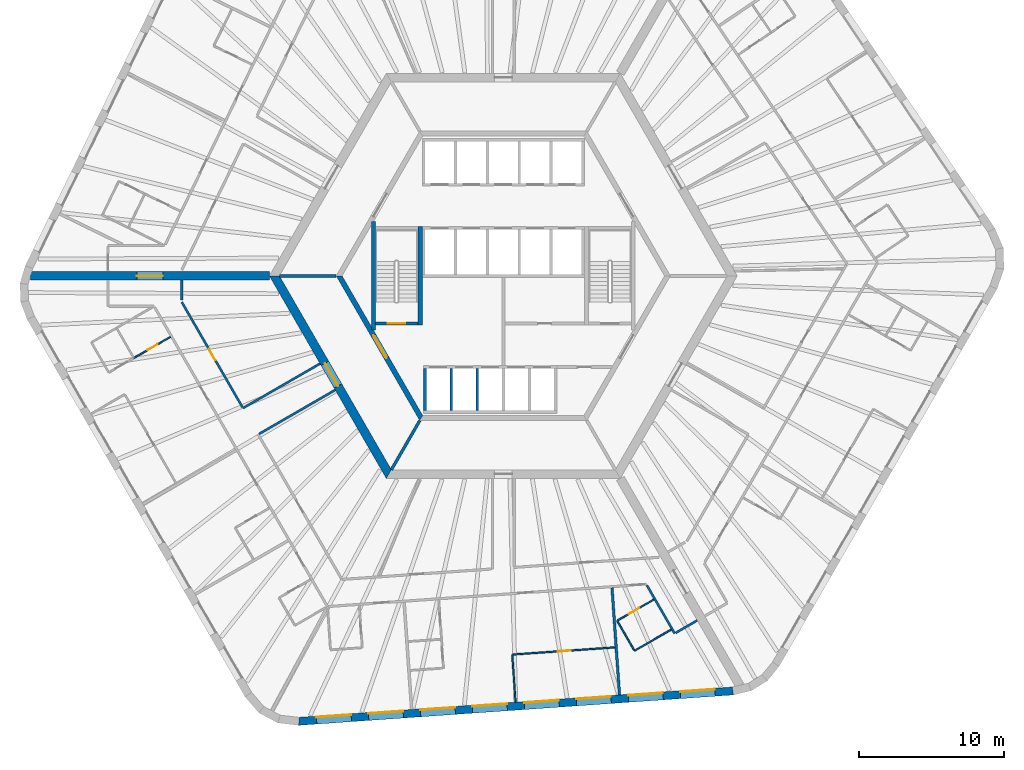
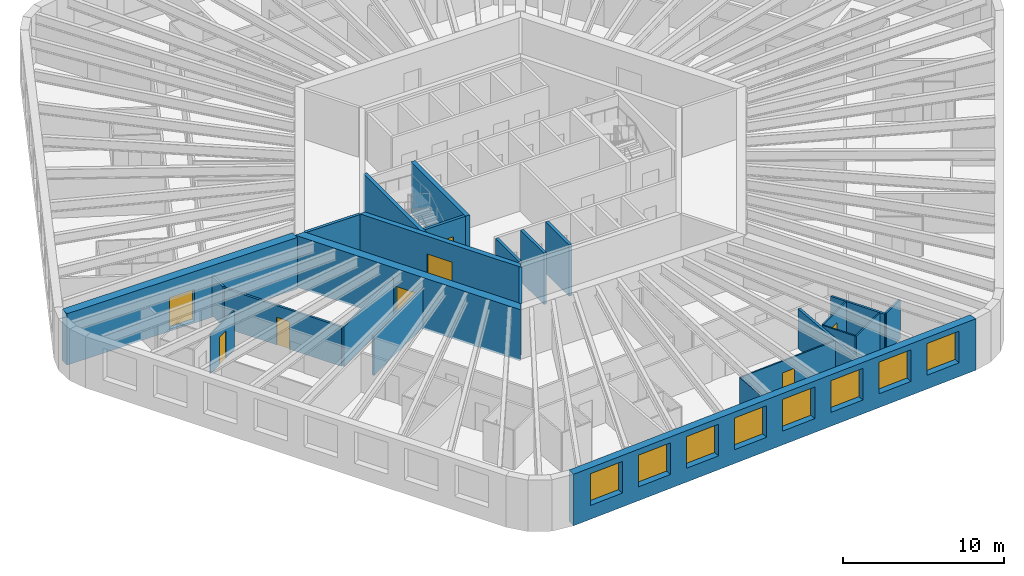
# One storey, part 4 of 12: 25 walls, 8 doors, 8 windows, 16 openings.
"""IFC4 building model written with IfcOpenShell, lengths in metres."""

from ifc_helpers import new_model, si_unit, direction, frame, frame_2d, origin, place, context, subcontext, project, spatial, polyline, rectangle, outline, extrude, material, layer, layer_set, type_object, element, fill, save


model = new_model("IFC4")

# Units and contexts
model_context = context("Model", 3, precision=1e-05, world=origin(), true_north=direction((0.0, 1.0)))
body_context = subcontext(model_context, "Body", "Model", "MODEL_VIEW")
ifc_project = project(units=[si_unit("LENGTHUNIT", "METRE"), si_unit("AREAUNIT", "SQUARE_METRE"), si_unit("VOLUMEUNIT", "CUBIC_METRE"), si_unit("PLANEANGLEUNIT", "RADIAN"), si_unit("MASSUNIT", "GRAM", prefix="KILO")], contexts=[model_context])

# Site, building, storey
site_placement = place(None, origin())
site = spatial("IfcSite", under=ifc_project, at=site_placement, CompositionType="ELEMENT")
building_placement = place(site_placement, origin())
building = spatial("IfcBuilding", under=site, at=building_placement, Name="Tarnside Tower", CompositionType="ELEMENT")
storey_placement = place(building_placement, frame((0.0, 0.0, 127.199951171875)))
storey = spatial("IfcBuildingStorey", under=building, at=storey_placement, Name="L29", CompositionType="ELEMENT", Elevation=127.199951171875)

# Wall, opening, door
ifc_material_1 = material(Name="Gypsum board partition on steel studs", Category="steel")
ifc_layer_1 = layer(ifc_material_1, 0.10009765625)
ifc_layer_set_1 = layer_set([ifc_layer_1], Name="Bathroom wall 100")
wall_type_1 = type_object("IfcWallType", Name="Bathroom wall 100", PredefinedType="PARTITIONING", material=ifc_layer_set_1)
wall_1_placement = place(storey_placement, frame((-22.998291015625, -4.216064453125, 0.0), z_axis=(0.0, 0.0, 1.0), x_axis=(-0.866025730634, -0.499999433879, 0.0)))
wall_1 = element("IfcWall", 1, at=wall_1_placement, inside=storey, type_object=wall_type_1, Name="Bathroom wall 09109", PredefinedType="PARTITIONING", context=body_context, shape_type="SweptSolid", body=[
    extrude(rectangle(XDim=2.9248046875, YDim=0.10009765625, at=frame_2d((1.46240234375, 0.0))), origin(), (0.0, 0.0, 1.0), 2.98779296875),
])
opening_1_placement = place(wall_1_placement, frame((1.02490234375, 0.0, 0.0)))
opening_1 = element("IfcOpeningElement", 2, at=opening_1_placement, cuts=wall_1, Name="Opening D-B1", PredefinedType="OPENING", context=body_context, shape_type="SweptSolid", body=[
    extrude(rectangle(XDim=0.800048828125, YDim=2.10009765625, at=frame_2d((0.39990234375, 1.050048828125))), frame((0.0, 0.06005859375, 0.0), z_axis=(0.0, -1.0, 0.0), x_axis=(1.0, 0.0, 0.0)), (0.0, 0.0, 1.0), 0.1201171875),
])
ifc_material_2 = material(Name="Timber door leaf", Category="wood")
door_type_1 = type_object("IfcDoorType", Name="Bathroom door 800", OperationType="NOTDEFINED", PredefinedType="DOOR", material=ifc_material_2)
door_1_placement = place(opening_1_placement, origin())
door_1 = element("IfcDoor", 3, at=door_1_placement, inside=storey, type_object=door_type_1, Name="Bathroom door 09016", OperationType="SINGLE_SWING_RIGHT", OverallHeight=2.10009765625, OverallWidth=0.800048828125, PredefinedType="DOOR", context=body_context, shape_type="SweptSolid", body=[
    extrude(rectangle(XDim=0.800048828125, YDim=2.10009765625, at=frame_2d((0.39990234375, 1.050048828125))), frame((0.0, 0.02490234375, 0.0), z_axis=(0.0, -1.0, 0.0), x_axis=(1.0, 0.0, 0.0)), (0.0, 0.0, 1.0), 0.050048828125),
])
fill(opening_1, door_1)

# Walls
wall_2_placement = place(storey_placement, frame((11.6015625, -24.444580078125, 0.0), z_axis=(0.0, 0.0, 1.0), x_axis=(-0.866046596414, -0.499963291492, 0.0)))
element("IfcWall", 4, at=wall_2_placement, inside=storey, type_object=wall_type_1, Name="Bathroom wall 09140", PredefinedType="PARTITIONING", context=body_context, shape_type="SweptSolid", body=[
    extrude(rectangle(XDim=2.925048828125, YDim=0.10009765625, at=frame_2d((1.46240234375, 0.0))), origin(), (0.0, 0.0, 1.0), 2.98779296875),
])
wall_3_placement = place(storey_placement, frame((9.04345703125, -25.86376953125, 0.0), z_axis=(0.0, 0.0, 1.0), x_axis=(-0.500016218704, 0.866016039709, 0.0)))
element("IfcWall", 5, at=wall_3_placement, inside=storey, type_object=wall_type_1, Name="Bathroom wall 09141", PredefinedType="PARTITIONING", context=body_context, shape_type="SweptSolid", body=[
    extrude(rectangle(XDim=2.35009765625, YDim=0.10009765625, at=frame_2d((1.175048828125, 0.0))), origin(), (0.0, 0.0, 1.0), 2.98779296875),
])

# Wall, opening, door
wall_4_placement = place(storey_placement, frame((7.91162109375, -23.803466796875, 0.0), z_axis=(0.0, 0.0, 1.0), x_axis=(0.866039941686, 0.499974818771, 0.0)))
wall_4 = element("IfcWall", 6, at=wall_4_placement, inside=storey, type_object=wall_type_1, Name="Bathroom wall 09142", PredefinedType="PARTITIONING", context=body_context, shape_type="SweptSolid", body=[
    extrude(rectangle(XDim=2.875244140625, YDim=0.10009765625, at=frame_2d((1.4375, 0.0))), origin(), (0.0, 0.0, 1.0), 2.98779296875),
])
opening_2_placement = place(wall_4_placement, frame((0.89990234375, 0.0, 0.0)))
opening_2 = element("IfcOpeningElement", 7, at=opening_2_placement, cuts=wall_4, Name="Opening D-B1", PredefinedType="OPENING", context=body_context, shape_type="SweptSolid", body=[
    extrude(rectangle(XDim=0.800048828125, YDim=2.10009765625, at=frame_2d((0.39990234375, 1.050048828125))), frame((0.0, 0.06005859375, 0.0), z_axis=(0.0, -1.0, 0.0), x_axis=(1.0, 0.0, 0.0)), (0.0, 0.0, 1.0), 0.1201171875),
])
door_2_placement = place(opening_2_placement, origin())
door_2 = element("IfcDoor", 8, at=door_2_placement, inside=storey, type_object=door_type_1, Name="Bathroom door 09030", OperationType="SINGLE_SWING_RIGHT", OverallHeight=2.10009765625, OverallWidth=0.800048828125, PredefinedType="DOOR", context=body_context, shape_type="SweptSolid", body=[
    extrude(rectangle(XDim=0.800048828125, YDim=2.10009765625, at=frame_2d((0.39990234375, 1.050048828125))), frame((0.0, 0.02490234375, 0.0), z_axis=(0.0, -1.0, 0.0), x_axis=(1.0, 0.0, 0.0)), (0.0, 0.0, 1.0), 0.050048828125),
])
fill(opening_2, door_2)

ifc_material_3 = material(Name="Concrete C50/60", Category="concrete")
ifc_layer_2 = layer(ifc_material_3, 0.35009765625)
ifc_layer_set_2 = layer_set([ifc_layer_2], Name="Core block wall 350 C50/60")
wall_type_2 = type_object("IfcWallType", Name="Core block wall 350 C50/60", PredefinedType="SHEAR", material=ifc_layer_set_2)
wall_5_placement = place(storey_placement, frame((-11.344970703125, 0.0, -0.14990234375), z_axis=(0.0, 0.0, 1.0), x_axis=(0.499995046907, -0.866028263435, 0.0)))
wall_5 = element("IfcWall", 9, at=wall_5_placement, inside=storey, type_object=wall_type_2, Name="L29 core block wall face 3", PredefinedType="SHEAR", context=body_context, shape_type="SweptSolid", body=[
    extrude(outline(polyline([(-0.10107421875, -0.175048828125), (11.44580078125, -0.175048828125), (11.24365234375, 0.175048828125), (0.10107421875, 0.175048828125), (-0.10107421875, -0.175048828125)])), origin(), (0.0, 0.0, 1.0), 3.89990234375),
])
opening_3_placement = place(wall_5_placement, frame((4.74365234375, 0.0, 0.14990234375)))
opening_3 = element("IfcOpeningElement", 10, at=opening_3_placement, cuts=wall_5, Name="Opening CD-FFL", PredefinedType="OPENING", context=body_context, shape_type="SweptSolid", body=[
    extrude(rectangle(XDim=1.800048828125, YDim=2.39990234375, at=frame_2d((0.89990234375, 1.199951171875))), frame((0.0, 0.18505859375, 0.0), z_axis=(0.0, -1.0, 0.0), x_axis=(1.0, 0.0, 0.0)), (0.0, 0.0, 1.0), 0.3701171875),
])
ifc_material_4 = material(Name="Steel fire door", Category="steel")
door_type_2 = type_object("IfcDoorType", Name="Firefighting lobby double door FD60S 1800x2400", OperationType="NOTDEFINED", PredefinedType="DOOR", material=ifc_material_4)
door_3_placement = place(opening_3_placement, origin())
door_3 = element("IfcDoor", 11, at=door_3_placement, inside=storey, type_object=door_type_2, Name="L29 lobby block door P3", OperationType="DOUBLE_DOOR_SINGLE_SWING", OverallHeight=2.39990234375, OverallWidth=1.800048828125, PredefinedType="DOOR", context=body_context, shape_type="SweptSolid", body=[
    extrude(rectangle(XDim=1.800048828125, YDim=2.39990234375, at=frame_2d((0.89990234375, 1.199951171875))), frame((0.0, 0.02490234375, 0.0), z_axis=(0.0, -1.0, 0.0), x_axis=(1.0, 0.0, 0.0)), (0.0, 0.0, 1.0), 0.050048828125),
])
fill(opening_3, door_3)

ifc_material_5 = material(Name="Concrete C80/95", Category="concrete")
ifc_layer_3 = layer(ifc_material_5, 0.60009765625)
ifc_layer_set_3 = layer_set([ifc_layer_3], Name="Core wall Z1 600 C80/95")
wall_type_3 = type_object("IfcWallType", Name="Core wall Z1 600 C80/95", PredefinedType="SHEAR", material=ifc_layer_set_3)
wall_6_placement = place(storey_placement, frame((-15.8193359375, 0.0, -0.14990234375), z_axis=(0.0, 0.0, 1.0), x_axis=(0.499999880136, -0.866025472988, 0.0)))
wall_6 = element("IfcWall", 12, at=wall_6_placement, inside=storey, type_object=wall_type_3, Name="L29 core wall face 3", PredefinedType="SHEAR", context=body_context, shape_type="SweptSolid", body=[
    extrude(outline(polyline([(-0.17333984375, -0.300048828125), (15.99267578125, -0.300048828125), (15.64599609375, 0.300048828125), (0.17333984375, 0.300048828125), (-0.17333984375, -0.300048828125)])), origin(), (0.0, 0.0, 1.0), 3.89990234375),
])
opening_4_placement = place(wall_6_placement, frame((6.980712890625, 0.0, 0.14990234375)))
opening_4 = element("IfcOpeningElement", 13, at=opening_4_placement, cuts=wall_6, Name="Opening CD-FFL", PredefinedType="OPENING", context=body_context, shape_type="SweptSolid", body=[
    extrude(rectangle(XDim=1.800048828125, YDim=2.39990234375, at=frame_2d((0.89990234375, 1.199951171875))), frame((0.0, 0.31005859375, 0.0), z_axis=(0.0, -1.0, 0.0), x_axis=(1.0, 0.0, 0.0)), (0.0, 0.0, 1.0), 0.6201171875),
])
door_4_placement = place(opening_4_placement, origin())
door_4 = element("IfcDoor", 14, at=door_4_placement, inside=storey, type_object=door_type_2, Name="L29 core door P3", OperationType="DOUBLE_DOOR_SINGLE_SWING", OverallHeight=2.39990234375, OverallWidth=1.800048828125, PredefinedType="DOOR", context=body_context, shape_type="SweptSolid", body=[
    extrude(rectangle(XDim=1.800048828125, YDim=2.39990234375, at=frame_2d((0.89990234375, 1.199951171875))), frame((0.0, 0.02490234375, 0.0), z_axis=(0.0, -1.0, 0.0), x_axis=(1.0, 0.0, 0.0)), (0.0, 0.0, 1.0), 0.050048828125),
])
fill(opening_4, door_4)

wall_7_placement = place(storey_placement, frame((-16.165771484375, 0.0, -0.14990234375), z_axis=(0.0, 0.0, 1.0), x_axis=(-1.0, 0.0, 0.0)))
wall_7 = element("IfcWall", 15, at=wall_7_placement, inside=storey, type_object=wall_type_3, Name="L29 spine wall 2", PredefinedType="SHEAR", context=body_context, shape_type="SweptSolid", body=[
    extrude(rectangle(XDim=16.509033203125, YDim=0.60009765625, at=frame_2d((8.25439453125, 0.0))), origin(), (0.0, 0.0, 1.0), 3.89990234375),
])
opening_5_placement = place(wall_7_placement, frame((7.3544921875, 0.0, 0.14990234375)))
opening_5 = element("IfcOpeningElement", 16, at=opening_5_placement, cuts=wall_7, Name="Opening CD-SPN", PredefinedType="OPENING", context=body_context, shape_type="SweptSolid", body=[
    extrude(rectangle(XDim=1.800048828125, YDim=2.39990234375, at=frame_2d((0.89990234375, 1.199951171875))), frame((0.0, 0.31005859375, 0.0), z_axis=(0.0, -1.0, 0.0), x_axis=(1.0, 0.0, 0.0)), (0.0, 0.0, 1.0), 0.6201171875),
])
door_type_3 = type_object("IfcDoorType", Name="Spine passage double door FD60 1800x2400", OperationType="NOTDEFINED", PredefinedType="DOOR", material=ifc_material_4)
door_5_placement = place(opening_5_placement, origin())
door_5 = element("IfcDoor", 17, at=door_5_placement, inside=storey, type_object=door_type_3, Name="L29 spine passage door 2", OperationType="DOUBLE_DOOR_SINGLE_SWING", OverallHeight=2.39990234375, OverallWidth=1.800048828125, PredefinedType="DOOR", context=body_context, shape_type="SweptSolid", body=[
    extrude(rectangle(XDim=1.800048828125, YDim=2.39990234375, at=frame_2d((0.89990234375, 1.199951171875))), frame((0.0, 0.02490234375, 0.0), z_axis=(0.0, -1.0, 0.0), x_axis=(1.0, 0.0, 0.0)), (0.0, 0.0, 1.0), 0.050048828125),
])
fill(opening_5, door_5)

# Walls
ifc_layer_4 = layer(ifc_material_1, 0.14990234375)
ifc_layer_set_4 = layer_set([ifc_layer_4], Name="Corridor wall 150 EI 60")
wall_type_4 = type_object("IfcWallType", Name="Corridor wall 150 EI 60", PredefinedType="PARTITIONING", material=ifc_layer_set_4)
wall_8_placement = place(storey_placement, frame((9.921875, -21.385009765625, 0.0), z_axis=(0.0, 0.0, 1.0), x_axis=(0.500003180287, -0.866023567637, 0.0)))
element("IfcWall", 18, at=wall_8_placement, inside=storey, type_object=wall_type_4, Name="Corridor wall 09040", PredefinedType="PARTITIONING", context=body_context, shape_type="SweptSolid", body=[
    extrude(rectangle(XDim=3.83935546875, YDim=0.14990234375, at=frame_2d((1.919677734375, 0.0))), origin(), (0.0, 0.0, 1.0), 2.98779296875),
])
wall_9_placement = place(storey_placement, frame((11.906494140625, -24.672607421875, 0.0), z_axis=(0.0, 0.0, 1.0), x_axis=(0.866013532718, 0.500020560727, 0.0)))
element("IfcWall", 19, at=wall_9_placement, inside=storey, type_object=wall_type_4, Name="Corridor wall 09042", PredefinedType="PARTITIONING", context=body_context, shape_type="SweptSolid", body=[
    extrude(rectangle(XDim=1.72509765625, YDim=0.14990234375, at=frame_2d((0.862548828125, 0.0))), origin(), (0.0, 0.0, 1.0), 2.98779296875),
])
wall_10_placement = place(storey_placement, frame((-12.663818359375, -6.065673828125, 0.0), z_axis=(0.0, 0.0, 1.0), x_axis=(-0.866023618125, -0.500003092839, 0.0)))
element("IfcWall", 20, at=wall_10_placement, inside=storey, type_object=wall_type_4, Name="Corridor wall 09044", PredefinedType="PARTITIONING", context=body_context, shape_type="SweptSolid", body=[
    extrude(rectangle(XDim=6.14990234375, YDim=0.14990234375, at=frame_2d((3.074951171875, 0.0))), origin(), (0.0, 0.0, 1.0), 2.98779296875),
])

# Wall, opening, door
wall_11_placement = place(storey_placement, frame((-18.02734375, -9.07568359375, 0.0), z_axis=(0.0, 0.0, 1.0), x_axis=(-0.500007318041, 0.86602117867, 0.0)))
wall_11 = element("IfcWall", 21, at=wall_11_placement, inside=storey, type_object=wall_type_4, Name="Corridor wall 09045", PredefinedType="PARTITIONING", context=body_context, shape_type="SweptSolid", body=[
    extrude(rectangle(XDim=8.383056640625, YDim=0.14990234375, at=frame_2d((4.19140625, 0.0))), origin(), (0.0, 0.0, 1.0), 2.98779296875),
])
opening_6_placement = place(wall_11_placement, frame((3.74169921875, 0.0, 0.0)))
opening_6 = element("IfcOpeningElement", 22, at=opening_6_placement, cuts=wall_11, Name="Opening D-S1", PredefinedType="OPENING", context=body_context, shape_type="SweptSolid", body=[
    extrude(rectangle(XDim=0.89990234375, YDim=2.10009765625, at=frame_2d((0.449951171875, 1.050048828125))), frame((0.0, 0.0849609375, 0.0), z_axis=(0.0, -1.0, 0.0), x_axis=(1.0, 0.0, 0.0)), (0.0, 0.0, 1.0), 0.169921875),
])
door_type_4 = type_object("IfcDoorType", Name="Service room door 900 FD30S", OperationType="NOTDEFINED", PredefinedType="DOOR", material=ifc_material_2)
door_6_placement = place(opening_6_placement, origin())
door_6 = element("IfcDoor", 23, at=door_6_placement, inside=storey, type_object=door_type_4, Name="Service door 09049", OperationType="SINGLE_SWING_RIGHT", OverallHeight=2.10009765625, OverallWidth=0.89990234375, PredefinedType="DOOR", context=body_context, shape_type="SweptSolid", body=[
    extrude(rectangle(XDim=0.89990234375, YDim=2.10009765625, at=frame_2d((0.449951171875, 1.050048828125))), frame((0.0, 0.02490234375, 0.0), z_axis=(0.0, -1.0, 0.0), x_axis=(1.0, 0.0, 0.0)), (0.0, 0.0, 1.0), 0.050048828125),
])
fill(opening_6, door_6)

# Walls
wall_12_placement = place(storey_placement, frame((-22.218994140625, -1.665771484375, 0.0), z_axis=(0.0, 0.0, 1.0), x_axis=(0.0, 1.0, 0.0)))
element("IfcWall", 24, at=wall_12_placement, inside=storey, type_object=wall_type_4, Name="Corridor wall 09046", PredefinedType="PARTITIONING", context=body_context, shape_type="SweptSolid", body=[
    extrude(rectangle(XDim=1.36572265625, YDim=0.14990234375, at=frame_2d((0.682861328125, 0.0))), origin(), (0.0, 0.0, 1.0), 2.98779296875),
])
wall_13_placement = place(storey_placement, frame((-16.875, -10.921875, 0.0), z_axis=(0.0, 0.0, 1.0), x_axis=(0.866023634079, 0.500003065207, 0.0)))
element("IfcWall", 25, at=wall_13_placement, inside=storey, type_object=wall_type_4, Name="Corridor wall 09051", PredefinedType="PARTITIONING", context=body_context, shape_type="SweptSolid", body=[
    extrude(rectangle(XDim=6.0751953125, YDim=0.14990234375, at=frame_2d((3.03759765625, 0.0))), origin(), (0.0, 0.0, 1.0), 2.98779296875),
])
ifc_layer_5 = layer(ifc_material_1, 0.179931640625)
ifc_layer_set_5 = layer_set([ifc_layer_5], Name="Demising wall 180 EI 60")
wall_type_5 = type_object("IfcWallType", Name="Demising wall 180 EI 60", PredefinedType="PARTITIONING", material=ifc_layer_set_5)
wall_14_placement = place(storey_placement, frame((8.028564453125, -28.96044921875, 0.0), z_axis=(0.0, 0.0, 1.0), x_axis=(-0.069739801019, 0.99756521599, 0.0)))
element("IfcWall", 26, at=wall_14_placement, inside=storey, type_object=wall_type_5, Name="Demising wall 09137", PredefinedType="PARTITIONING", context=body_context, shape_type="SweptSolid", body=[
    extrude(rectangle(XDim=7.425048828125, YDim=0.179931640625, at=frame_2d((3.71240234375, 0.0))), origin(), (0.0, 0.0, 1.0), 2.98779296875),
])
ifc_material_6 = material(Name="Concrete C40/50", Category="concrete")
ifc_layer_6 = layer(ifc_material_6, 0.199951171875)
ifc_layer_set_6 = layer_set([ifc_layer_6], Name="Lift shaft wall 200 C40/50")
wall_type_6 = type_object("IfcWallType", Name="Lift shaft wall 200 C40/50", PredefinedType="SHEAR", material=ifc_layer_set_6)
for number, where, z_axis, x_axis, name in (
    (27, (-5.39990234375, -9.300048828125, -0.25), (0.0, 0.0, 1.0), (0.0, 1.0, 0.0), "L29 lift shaft partition R41"),
    (28, (-3.60009765625, -9.300048828125, -0.25), (0.0, 0.0, 1.0), (0.0, 1.0, 0.0), "L29 lift shaft partition R42"),
    (29, (-1.800048828125, -9.300048828125, -0.25), (0.0, 0.0, 1.0), (0.0, 1.0, 0.0), "L29 lift shaft partition R43"),
):
    element("IfcWall", number, at=place(storey_placement, frame(where, z_axis=z_axis, x_axis=x_axis)), inside=storey, type_object=wall_type_6, Name=name, PredefinedType="SHEAR", context=body_context, shape_type="SweptSolid", body=[
        extrude(rectangle(XDim=2.900146484375, YDim=0.199951171875, at=frame_2d((1.4501953125, 0.0))), origin(), (0.0, 0.0, 1.0), 3.900146484375),
    ])
wall_15_placement = place(storey_placement, frame((-11.547119140625, 0.0, -0.14990234375), z_axis=(0.0, 0.0, 1.0), x_axis=(-1.0, 0.0, 0.0)))
element("IfcWall", 30, at=wall_15_placement, inside=storey, type_object=wall_type_6, Name="L29 core partition AR180", PredefinedType="SHEAR", context=body_context, shape_type="SweptSolid", body=[
    extrude(rectangle(XDim=3.92578125, YDim=0.199951171875, at=frame_2d((1.962890625, 0.0))), origin(), (0.0, 0.0, 1.0), 3.89990234375),
])
wall_16_placement = place(storey_placement, frame((-5.7734375, -10.0, -0.14990234375), z_axis=(0.0, 0.0, 1.0), x_axis=(-0.500038251005, -0.86600331843, 0.0)))
element("IfcWall", 31, at=wall_16_placement, inside=storey, type_object=wall_type_6, Name="L29 core partition AR240", PredefinedType="SHEAR", context=body_context, shape_type="SweptSolid", body=[
    extrude(rectangle(XDim=3.926025390625, YDim=0.199951171875, at=frame_2d((1.962890625, 0.0))), origin(), (0.0, 0.0, 1.0), 3.89990234375),
])

# Wall, opening, door
wall_17_placement = place(storey_placement, frame((-8.85009765625, -3.300048828125, -0.25), z_axis=(0.0, 0.0, 1.0), x_axis=(1.0, 0.0, 0.0)))
wall_17 = element("IfcWall", 32, at=wall_17_placement, inside=storey, type_object=wall_type_6, Name="L29 stair 2 enclosure cap wall s", PredefinedType="SHEAR", context=body_context, shape_type="SweptSolid", body=[
    extrude(rectangle(XDim=2.9501953125, YDim=0.199951171875, at=frame_2d((1.47509765625, 0.0))), origin(), (0.0, 0.0, 1.0), 3.900146484375),
])
opening_7_placement = place(wall_17_placement, frame((0.875, 0.0, 0.25)))
opening_7 = element("IfcOpeningElement", 33, at=opening_7_placement, cuts=wall_17, Name="Opening CD-STR", PredefinedType="OPENING", context=body_context, shape_type="SweptSolid", body=[
    extrude(rectangle(XDim=1.199951171875, YDim=2.39990234375, at=frame_2d((0.60009765625, 1.199951171875))), frame((0.0, 0.10986328125, 0.0), z_axis=(0.0, -1.0, 0.0), x_axis=(1.0, 0.0, 0.0)), (0.0, 0.0, 1.0), 0.219970703125),
])
door_type_5 = type_object("IfcDoorType", Name="Stair door FD60S 1200x2400", OperationType="NOTDEFINED", PredefinedType="DOOR", material=ifc_material_4)
door_7_placement = place(opening_7_placement, origin())
door_7 = element("IfcDoor", 34, at=door_7_placement, inside=storey, type_object=door_type_5, Name="L29 stair 2 door", OperationType="SINGLE_SWING_LEFT", OverallHeight=2.39990234375, OverallWidth=1.199951171875, PredefinedType="DOOR", context=body_context, shape_type="SweptSolid", body=[
    extrude(rectangle(XDim=1.199951171875, YDim=2.39990234375, at=frame_2d((0.60009765625, 1.199951171875))), frame((0.0, 0.02490234375, 0.0), z_axis=(0.0, -1.0, 0.0), x_axis=(1.0, 0.0, 0.0)), (0.0, 0.0, 1.0), 0.050048828125),
])
fill(opening_7, door_7)

# Wall
ifc_layer_7 = layer(ifc_material_1, 0.10009765625)
ifc_layer_set_7 = layer_set([ifc_layer_7], Name="Partition 100")
wall_type_7 = type_object("IfcWallType", Name="Partition 100", PredefinedType="PARTITIONING", material=ifc_layer_set_7)
wall_18_placement = place(storey_placement, frame((0.84619140625, -29.462646484375, 0.0), z_axis=(0.0, 0.0, 1.0), x_axis=(-0.069769490542, 0.997563139951, 0.0)))
element("IfcWall", 35, at=wall_18_placement, inside=storey, type_object=wall_type_7, Name="Partition wall 09135", PredefinedType="PARTITIONING", context=body_context, shape_type="SweptSolid", body=[
    extrude(rectangle(XDim=3.2998046875, YDim=0.10009765625, at=frame_2d((1.64990234375, 0.0))), origin(), (0.0, 0.0, 1.0), 2.98779296875),
])

# Wall, opening, door
wall_19_placement = place(storey_placement, frame((0.665771484375, -26.167236328125, 0.0), z_axis=(0.0, 0.0, 1.0), x_axis=(0.997564648601, 0.069747916536, 0.0)))
wall_19 = element("IfcWall", 36, at=wall_19_placement, inside=storey, type_object=wall_type_7, Name="Partition wall 09136", PredefinedType="PARTITIONING", context=body_context, shape_type="SweptSolid", body=[
    extrude(rectangle(XDim=7.06005859375, YDim=0.10009765625, at=frame_2d((3.530029296875, 0.0))), origin(), (0.0, 0.0, 1.0), 2.98779296875),
])
opening_8_placement = place(wall_19_placement, frame((3.10009765625, 0.0, 0.0)))
opening_8 = element("IfcOpeningElement", 37, at=opening_8_placement, cuts=wall_19, Name="Opening D-I1", PredefinedType="OPENING", context=body_context, shape_type="SweptSolid", body=[
    extrude(rectangle(XDim=0.89990234375, YDim=2.10009765625, at=frame_2d((0.449951171875, 1.050048828125))), frame((0.0, 0.06005859375, 0.0), z_axis=(0.0, -1.0, 0.0), x_axis=(1.0, 0.0, 0.0)), (0.0, 0.0, 1.0), 0.1201171875),
])
door_type_6 = type_object("IfcDoorType", Name="Internal door 900", OperationType="NOTDEFINED", PredefinedType="DOOR", material=ifc_material_2)
door_8_placement = place(opening_8_placement, origin())
door_8 = element("IfcDoor", 38, at=door_8_placement, inside=storey, type_object=door_type_6, Name="Internal door 09028", OperationType="SINGLE_SWING_LEFT", OverallHeight=2.10009765625, OverallWidth=0.89990234375, PredefinedType="DOOR", context=body_context, shape_type="SweptSolid", body=[
    extrude(rectangle(XDim=0.89990234375, YDim=2.10009765625, at=frame_2d((0.449951171875, 1.050048828125))), frame((0.0, 0.02490234375, 0.0), z_axis=(0.0, -1.0, 0.0), x_axis=(1.0, 0.0, 0.0)), (0.0, 0.0, 1.0), 0.050048828125),
])
fill(opening_8, door_8)

# Walls
ifc_layer_8 = layer(ifc_material_6, 0.25)
ifc_layer_set_8 = layer_set([ifc_layer_8], Name="Stair enclosure wall 250 C40/50")
wall_type_8 = type_object("IfcWallType", Name="Stair enclosure wall 250 C40/50", PredefinedType="SHEAR", material=ifc_layer_set_8)
wall_20_placement = place(storey_placement, frame((-8.97509765625, -3.7548828125, -0.25), z_axis=(0.0, 0.0, 1.0), x_axis=(0.0, 1.0, 0.0)))
element("IfcWall", 39, at=wall_20_placement, inside=storey, type_object=wall_type_8, Name="L29 stair 2 enclosure wall outer", PredefinedType="SHEAR", context=body_context, shape_type="SweptSolid", body=[
    extrude(rectangle(XDim=7.509765625, YDim=0.25, at=frame_2d((3.7548828125, 0.0))), origin(), (0.0, 0.0, 1.0), 3.900146484375),
])
ifc_layer_9 = layer(ifc_material_6, 0.300048828125)
ifc_layer_set_9 = layer_set([ifc_layer_9], Name="Stair enclosure wall 300 C40/50")
wall_type_9 = type_object("IfcWallType", Name="Stair enclosure wall 300 C40/50", PredefinedType="SHEAR", material=ifc_layer_set_9)
wall_21_placement = place(storey_placement, frame((-5.75, -3.39990234375, -0.25), z_axis=(0.0, 0.0, 1.0), x_axis=(0.0, 1.0, 0.0)))
element("IfcWall", 40, at=wall_21_placement, inside=storey, type_object=wall_type_9, Name="L29 stair 2 enclosure wall inner", PredefinedType="SHEAR", context=body_context, shape_type="SweptSolid", body=[
    extrude(rectangle(XDim=6.7998046875, YDim=0.300048828125, at=frame_2d((3.39990234375, 0.0))), origin(), (0.0, 0.0, 1.0), 3.900146484375),
])

# Wall, openings, windows
ifc_material_7 = material(Name="Facing brick", Category="masonry")
ifc_layer_10 = layer(ifc_material_7, 0.10205078125)
ifc_material_8 = material(Name="Concrete C60/75 precast", Category="concrete")
ifc_layer_11 = layer(ifc_material_8, 0.347900390625)
ifc_material_9 = material(Name="Mineral wool insulation")
ifc_layer_12 = layer(ifc_material_9, 0.10009765625)
ifc_layer_set_10 = layer_set([ifc_layer_10, ifc_layer_11, ifc_layer_12], Name="Tube wall 550 brick faced")
wall_type_10 = type_object("IfcWallType", Name="Tube wall 550 brick faced", PredefinedType="SOLIDWALL", material=ifc_layer_set_10)
wall_22_placement = place(storey_placement, frame((-14.133544921875, -30.785888671875, -0.14990234375), z_axis=(0.0, 0.0, 1.0), x_axis=(0.997564037441, 0.069756657061, 0.0)))
wall_22 = element("IfcWall", 41, at=wall_22_placement, inside=storey, type_object=wall_type_10, Name="Tube wall L29 F4 flush 12", PredefinedType="SOLIDWALL", context=body_context, shape_type="SweptSolid", body=[
    extrude(outline(polyline([(-0.025634765625, -0.27490234375), (30.093505859375, -0.27490234375), (30.048583984375, 0.27490234375), (0.025634765625, 0.27490234375), (-0.025634765625, -0.27490234375)])), origin(), (0.0, 0.0, 1.0), 3.89990234375),
])
opening_9_placement = place(wall_22_placement, frame((1.235595703125, 0.0, 1.050048828125)))
opening_9 = element("IfcOpeningElement", 42, at=opening_9_placement, cuts=wall_22, Name="Opening WH", PredefinedType="OPENING", context=body_context, shape_type="SweptSolid", body=[
    extrude(rectangle(XDim=2.39990234375, YDim=2.39990234375, at=frame_2d((1.199951171875, 1.199951171875))), frame((0.0, 0.28515625, 0.0), z_axis=(0.0, -1.0, 0.0), x_axis=(1.0, 0.0, 0.0)), (0.0, 0.0, 1.0), 0.570068359375),
])
opening_10_placement = place(wall_22_placement, frame((4.83544921875, 0.0, 1.050048828125)))
opening_10 = element("IfcOpeningElement", 43, at=opening_10_placement, cuts=wall_22, Name="Opening WH", PredefinedType="OPENING", context=body_context, shape_type="SweptSolid", body=[
    extrude(rectangle(XDim=2.39990234375, YDim=2.39990234375, at=frame_2d((1.199951171875, 1.199951171875))), frame((0.0, 0.28515625, 0.0), z_axis=(0.0, -1.0, 0.0), x_axis=(1.0, 0.0, 0.0)), (0.0, 0.0, 1.0), 0.570068359375),
])
opening_11_placement = place(wall_22_placement, frame((8.435546875, 0.0, 1.050048828125)))
opening_11 = element("IfcOpeningElement", 44, at=opening_11_placement, cuts=wall_22, Name="Opening WH", PredefinedType="OPENING", context=body_context, shape_type="SweptSolid", body=[
    extrude(rectangle(XDim=2.39990234375, YDim=2.39990234375, at=frame_2d((1.199951171875, 1.199951171875))), frame((0.0, 0.28515625, 0.0), z_axis=(0.0, -1.0, 0.0), x_axis=(1.0, 0.0, 0.0)), (0.0, 0.0, 1.0), 0.570068359375),
])
opening_12_placement = place(wall_22_placement, frame((12.035400390625, 0.0, 1.050048828125)))
opening_12 = element("IfcOpeningElement", 45, at=opening_12_placement, cuts=wall_22, Name="Opening WH", PredefinedType="OPENING", context=body_context, shape_type="SweptSolid", body=[
    extrude(rectangle(XDim=2.39990234375, YDim=2.39990234375, at=frame_2d((1.199951171875, 1.199951171875))), frame((0.0, 0.28515625, 0.0), z_axis=(0.0, -1.0, 0.0), x_axis=(1.0, 0.0, 0.0)), (0.0, 0.0, 1.0), 0.570068359375),
])
opening_13_placement = place(wall_22_placement, frame((15.635498046875, 0.0, 1.050048828125)))
opening_13 = element("IfcOpeningElement", 46, at=opening_13_placement, cuts=wall_22, Name="Opening WH", PredefinedType="OPENING", context=body_context, shape_type="SweptSolid", body=[
    extrude(rectangle(XDim=2.39990234375, YDim=2.39990234375, at=frame_2d((1.199951171875, 1.199951171875))), frame((0.0, 0.28515625, 0.0), z_axis=(0.0, -1.0, 0.0), x_axis=(1.0, 0.0, 0.0)), (0.0, 0.0, 1.0), 0.570068359375),
])
opening_14_placement = place(wall_22_placement, frame((19.235595703125, 0.0, 1.050048828125)))
opening_14 = element("IfcOpeningElement", 47, at=opening_14_placement, cuts=wall_22, Name="Opening WH", PredefinedType="OPENING", context=body_context, shape_type="SweptSolid", body=[
    extrude(rectangle(XDim=2.39990234375, YDim=2.39990234375, at=frame_2d((1.199951171875, 1.199951171875))), frame((0.0, 0.28515625, 0.0), z_axis=(0.0, -1.0, 0.0), x_axis=(1.0, 0.0, 0.0)), (0.0, 0.0, 1.0), 0.570068359375),
])
opening_15_placement = place(wall_22_placement, frame((22.83544921875, 0.0, 1.050048828125)))
opening_15 = element("IfcOpeningElement", 48, at=opening_15_placement, cuts=wall_22, Name="Opening WH", PredefinedType="OPENING", context=body_context, shape_type="SweptSolid", body=[
    extrude(rectangle(XDim=2.39990234375, YDim=2.39990234375, at=frame_2d((1.199951171875, 1.199951171875))), frame((0.0, 0.28515625, 0.0), z_axis=(0.0, -1.0, 0.0), x_axis=(1.0, 0.0, 0.0)), (0.0, 0.0, 1.0), 0.570068359375),
])
opening_16_placement = place(wall_22_placement, frame((26.435546875, 0.0, 1.050048828125)))
opening_16 = element("IfcOpeningElement", 49, at=opening_16_placement, cuts=wall_22, Name="Opening WH", PredefinedType="OPENING", context=body_context, shape_type="SweptSolid", body=[
    extrude(rectangle(XDim=2.39990234375, YDim=2.39990234375, at=frame_2d((1.199951171875, 1.199951171875))), frame((0.0, 0.28515625, 0.0), z_axis=(0.0, -1.0, 0.0), x_axis=(1.0, 0.0, 0.0)), (0.0, 0.0, 1.0), 0.570068359375),
])
ifc_material_10 = material(Name="Aluminium-framed double glazing", Category="aluminium")
window_type = type_object("IfcWindowType", Name="Hotel window 2400 x 2400", PartitioningType="DOUBLE_PANEL_VERTICAL", PredefinedType="WINDOW", material=ifc_material_10)
window_1_placement = place(opening_9_placement, frame((0.0, 0.205078125, 0.0)))
window_1 = element("IfcWindow", 50, at=window_1_placement, inside=storey, type_object=window_type, Name="E.WN.L29.F4.00", OverallHeight=2.39990234375, OverallWidth=2.39990234375, PartitioningType="DOUBLE_PANEL_VERTICAL", PredefinedType="WINDOW", context=body_context, shape_type="SweptSolid", body=[
    extrude(rectangle(XDim=2.39990234375, YDim=2.39990234375, at=frame_2d((1.199951171875, 1.199951171875))), frame((0.0, 0.030029296875, 0.0), z_axis=(0.0, -1.0, 0.0), x_axis=(1.0, 0.0, 0.0)), (0.0, 0.0, 1.0), 0.06005859375),
])
fill(opening_9, window_1)
window_2_placement = place(opening_10_placement, frame((0.0, 0.205078125, 0.0)))
window_2 = element("IfcWindow", 51, at=window_2_placement, inside=storey, type_object=window_type, Name="E.WN.L29.F4.01", OverallHeight=2.39990234375, OverallWidth=2.39990234375, PartitioningType="DOUBLE_PANEL_VERTICAL", PredefinedType="WINDOW", context=body_context, shape_type="SweptSolid", body=[
    extrude(rectangle(XDim=2.39990234375, YDim=2.39990234375, at=frame_2d((1.199951171875, 1.199951171875))), frame((0.0, 0.030029296875, 0.0), z_axis=(0.0, -1.0, 0.0), x_axis=(1.0, 0.0, 0.0)), (0.0, 0.0, 1.0), 0.06005859375),
])
fill(opening_10, window_2)
window_3_placement = place(opening_11_placement, frame((0.0, 0.205078125, 0.0)))
window_3 = element("IfcWindow", 52, at=window_3_placement, inside=storey, type_object=window_type, Name="E.WN.L29.F4.02", OverallHeight=2.39990234375, OverallWidth=2.39990234375, PartitioningType="DOUBLE_PANEL_VERTICAL", PredefinedType="WINDOW", context=body_context, shape_type="SweptSolid", body=[
    extrude(rectangle(XDim=2.39990234375, YDim=2.39990234375, at=frame_2d((1.199951171875, 1.199951171875))), frame((0.0, 0.030029296875, 0.0), z_axis=(0.0, -1.0, 0.0), x_axis=(1.0, 0.0, 0.0)), (0.0, 0.0, 1.0), 0.06005859375),
])
fill(opening_11, window_3)
window_4_placement = place(opening_12_placement, frame((0.0, 0.205078125, 0.0)))
window_4 = element("IfcWindow", 53, at=window_4_placement, inside=storey, type_object=window_type, Name="E.WN.L29.F4.03", OverallHeight=2.39990234375, OverallWidth=2.39990234375, PartitioningType="DOUBLE_PANEL_VERTICAL", PredefinedType="WINDOW", context=body_context, shape_type="SweptSolid", body=[
    extrude(rectangle(XDim=2.39990234375, YDim=2.39990234375, at=frame_2d((1.199951171875, 1.199951171875))), frame((0.0, 0.030029296875, 0.0), z_axis=(0.0, -1.0, 0.0), x_axis=(1.0, 0.0, 0.0)), (0.0, 0.0, 1.0), 0.06005859375),
])
fill(opening_12, window_4)
window_5_placement = place(opening_13_placement, frame((0.0, 0.205078125, 0.0)))
window_5 = element("IfcWindow", 54, at=window_5_placement, inside=storey, type_object=window_type, Name="E.WN.L29.F4.04", OverallHeight=2.39990234375, OverallWidth=2.39990234375, PartitioningType="DOUBLE_PANEL_VERTICAL", PredefinedType="WINDOW", context=body_context, shape_type="SweptSolid", body=[
    extrude(rectangle(XDim=2.39990234375, YDim=2.39990234375, at=frame_2d((1.199951171875, 1.199951171875))), frame((0.0, 0.030029296875, 0.0), z_axis=(0.0, -1.0, 0.0), x_axis=(1.0, 0.0, 0.0)), (0.0, 0.0, 1.0), 0.06005859375),
])
fill(opening_13, window_5)
window_6_placement = place(opening_14_placement, frame((0.0, 0.205078125, 0.0)))
window_6 = element("IfcWindow", 55, at=window_6_placement, inside=storey, type_object=window_type, Name="E.WN.L29.F4.05", OverallHeight=2.39990234375, OverallWidth=2.39990234375, PartitioningType="DOUBLE_PANEL_VERTICAL", PredefinedType="WINDOW", context=body_context, shape_type="SweptSolid", body=[
    extrude(rectangle(XDim=2.39990234375, YDim=2.39990234375, at=frame_2d((1.199951171875, 1.199951171875))), frame((0.0, 0.030029296875, 0.0), z_axis=(0.0, -1.0, 0.0), x_axis=(1.0, 0.0, 0.0)), (0.0, 0.0, 1.0), 0.06005859375),
])
fill(opening_14, window_6)
window_7_placement = place(opening_15_placement, frame((0.0, 0.205078125, 0.0)))
window_7 = element("IfcWindow", 56, at=window_7_placement, inside=storey, type_object=window_type, Name="E.WN.L29.F4.06", OverallHeight=2.39990234375, OverallWidth=2.39990234375, PartitioningType="DOUBLE_PANEL_VERTICAL", PredefinedType="WINDOW", context=body_context, shape_type="SweptSolid", body=[
    extrude(rectangle(XDim=2.39990234375, YDim=2.39990234375, at=frame_2d((1.199951171875, 1.199951171875))), frame((0.0, 0.030029296875, 0.0), z_axis=(0.0, -1.0, 0.0), x_axis=(1.0, 0.0, 0.0)), (0.0, 0.0, 1.0), 0.06005859375),
])
fill(opening_15, window_7)
window_8_placement = place(opening_16_placement, frame((0.0, 0.205078125, 0.0)))
window_8 = element("IfcWindow", 57, at=window_8_placement, inside=storey, type_object=window_type, Name="E.WN.L29.F4.07", OverallHeight=2.39990234375, OverallWidth=2.39990234375, PartitioningType="DOUBLE_PANEL_VERTICAL", PredefinedType="WINDOW", context=body_context, shape_type="SweptSolid", body=[
    extrude(rectangle(XDim=2.39990234375, YDim=2.39990234375, at=frame_2d((1.199951171875, 1.199951171875))), frame((0.0, 0.030029296875, 0.0), z_axis=(0.0, -1.0, 0.0), x_axis=(1.0, 0.0, 0.0)), (0.0, 0.0, 1.0), 0.06005859375),
])
fill(opening_16, window_8)

save(model, "model.ifc")
